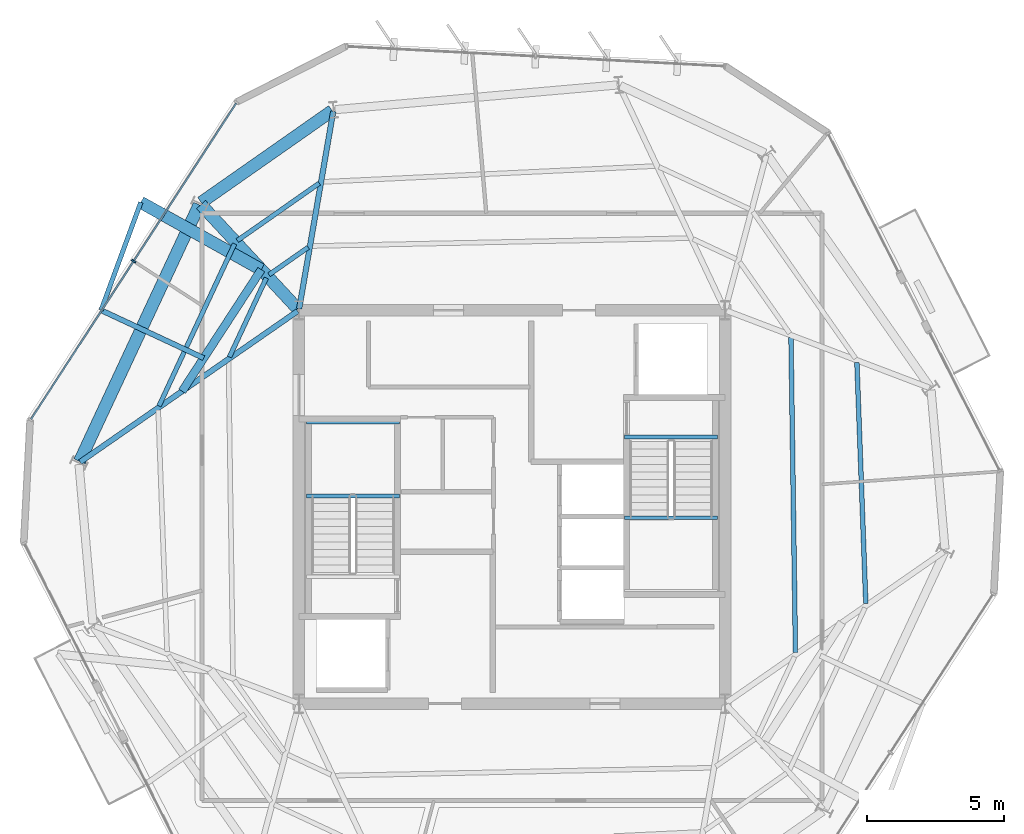
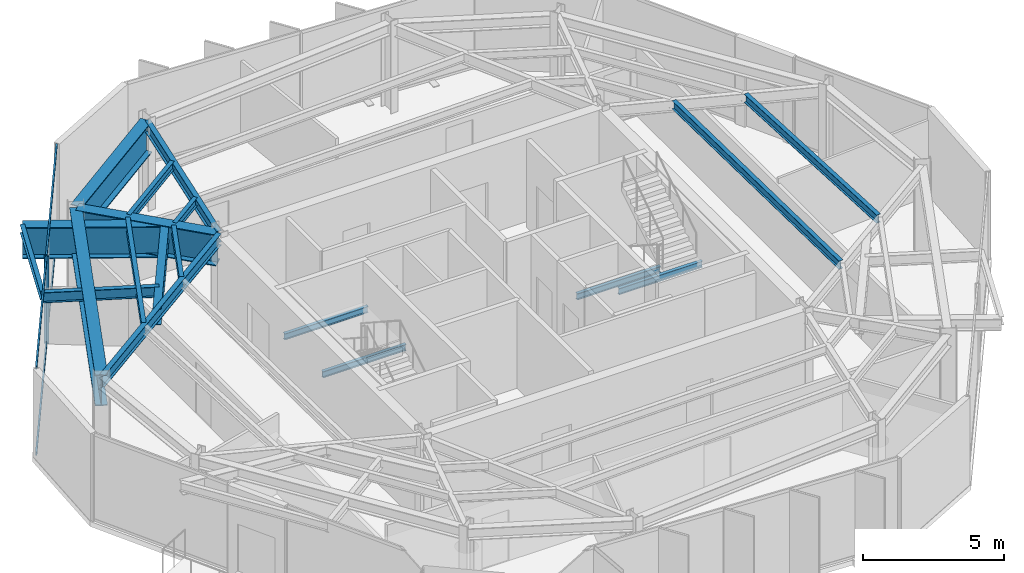
# One storey, part 4 of 11: 19 beams, 5 members, 1 element without a shape of its own.
"""IFC4 building model written with IfcOpenShell, lengths in metres."""

from ifc_helpers import new_model, si_unit, direction, frame, origin, origin_2d, place, context, subcontext, project, spatial, rectangle, i_section, extrude, material, layer, layer_set, material_profile, profile_set, type_object, element, aggregate, save


model = new_model("IFC4")

# Units and contexts
model_context = context("Model", 3, precision=1e-05, world=origin(), true_north=direction((0.0, 1.0)))
body_context = subcontext(model_context, "Body", "Model", "MODEL_VIEW")
ifc_project = project(units=[si_unit("LENGTHUNIT", "METRE"), si_unit("AREAUNIT", "SQUARE_METRE"), si_unit("VOLUMEUNIT", "CUBIC_METRE"), si_unit("PLANEANGLEUNIT", "RADIAN"), si_unit("MASSUNIT", "GRAM", prefix="KILO")], contexts=[model_context])

# Site, building, storey
site_placement = place(None, origin())
site = spatial("IfcSite", under=ifc_project, at=site_placement, CompositionType="ELEMENT")
building_placement = place(site_placement, origin())
building = spatial("IfcBuilding", under=site, at=building_placement, Name="Kranzbogen Civic Tower", CompositionType="ELEMENT")
storey_placement = place(building_placement, frame((0.0, 0.0, 254.199951171875)))
storey = spatial("IfcBuildingStorey", under=building, at=storey_placement, Name="L61", CompositionType="ELEMENT", Elevation=254.199951171875)

# Beam
ifc_material_1 = material(Name="Steel S355", Category="steel")
ifc_material_profile_1 = material_profile(ifc_material_1, i_section(OverallWidth=0.18994140625, OverallDepth=0.449951171875, WebThickness=0.009521484375, FlangeThickness=0.0146484375, at=origin_2d()), Name="IPE 450")
ifc_profile_set_1 = profile_set([ifc_material_profile_1], Name="Steel S355")
beam_type_1 = type_object("IfcBeamType", Name="Braced Terrace Edge Beam IPE 450", PredefinedType="BEAM", material=ifc_profile_set_1)
beam_1_placement = place(storey_placement, frame((13.714111328125, 30.447021484375, 3.525146484375), z_axis=(-0.906265891751, 0.422708094846, 0.0), x_axis=(-0.422708094846, -0.906265891751, 0.0)))
element("IfcBeam", 1, at=beam_1_placement, inside=storey, type_object=beam_type_1, Name="L62 back-spanned terrace beam L62-TB2-2", PredefinedType="BEAM", context=body_context, shape_type="SweptSolid", body=[
    extrude(i_section(OverallWidth=0.18994140625, OverallDepth=0.449951171875, WebThickness=0.009521484375, FlangeThickness=0.0146484375, at=origin_2d()), origin(), (0.0, 0.0, 1.0), 4.14453125),
])

# Curtain wall, members
ifc_material_2 = material(Name="Pale Anodised Aluminium", Category="aluminium")
ifc_layer = layer(ifc_material_2, 0.219970703125, Name="Pale Anodised Aluminium")
ifc_layer_set = layer_set([ifc_layer], Name="Pale Anodised Aluminium")
curtain_wall_type = type_object("IfcCurtainWallType", Name="Zone 4 Stick Curtain Wall System CW-05", PredefinedType="USERDEFINED", material=ifc_layer_set)
curtain_wall_placement = place(storey_placement, origin())
curtain_wall = element("IfcCurtainWall", 2, at=curtain_wall_placement, inside=storey, type_object=curtain_wall_type, Name="L61 curtain wall CW-L61-F2", ObjectType="STICK CURTAIN WALL", PredefinedType="USERDEFINED")
ifc_material_profile_2 = material_profile(ifc_material_2, rectangle(XDim=0.06494140625, YDim=0.179931640625, at=origin_2d()), Name="ALU-M 65x180")
ifc_profile_set_2 = profile_set([ifc_material_profile_2], Name="Pale Anodised Aluminium")
member_type_1 = type_object("IfcMemberType", Name="Curtain Wall Mullion ALU-M 65x180", PredefinedType="MULLION", material=ifc_profile_set_2)
member_1_placement = place(storey_placement, frame((11.151611328125, 33.993408203125, 0.0), z_axis=(0.0, 0.0, 1.0), x_axis=(-0.544657317977, -0.838658694568, 0.0)))
member_1 = element("IfcMember", 3, at=member_1_placement, type_object=member_type_1, Name="CW-05 mullion 2", PredefinedType="MULLION", context=body_context, shape_type="SweptSolid", body=[
    extrude(rectangle(XDim=0.06494140625, YDim=0.179931640625, at=origin_2d()), origin(), (0.0, 0.0, 1.0), 3.780029296875),
])
ifc_material_profile_3 = material_profile(ifc_material_2, rectangle(XDim=0.06494140625, YDim=0.135009765625, at=origin_2d()), Name="ALU-T 65x135")
ifc_profile_set_3 = profile_set([ifc_material_profile_3], Name="Pale Anodised Aluminium")
member_type_2 = type_object("IfcMemberType", Name="Curtain Wall Transom ALU-T 65x135", PredefinedType="USERDEFINED", material=ifc_profile_set_3)
member_2_placement = place(storey_placement, frame((14.9072265625, 39.776611328125, 0.030029296875), z_axis=(-0.544657090741, -0.838658842144, 0.0), x_axis=(0.838658842144, -0.544657090741, 0.0)))
member_2 = element("IfcMember", 4, at=member_2_placement, type_object=member_type_2, Name="CW-05 transom 1.1", ObjectType="TRANSOM", PredefinedType="USERDEFINED", context=body_context, shape_type="SweptSolid", body=[
    extrude(rectangle(XDim=0.06494140625, YDim=0.135009765625, at=origin_2d()), origin(), (0.0, 0.0, 1.0), 6.86572265625),
])
member_3_placement = place(storey_placement, frame((14.9072265625, 39.776611328125, 3.75), z_axis=(-0.544657090741, -0.838658842144, 0.0), x_axis=(0.838658842144, -0.544657090741, 0.0)))
member_3 = element("IfcMember", 5, at=member_3_placement, type_object=member_type_2, Name="CW-05 transom 1.2", ObjectType="TRANSOM", PredefinedType="USERDEFINED", context=body_context, shape_type="SweptSolid", body=[
    extrude(rectangle(XDim=0.06494140625, YDim=0.135009765625, at=origin_2d()), origin(), (0.0, 0.0, 1.0), 6.86572265625),
])
member_4_placement = place(storey_placement, frame((11.13525390625, 33.96826171875, 0.030029296875), z_axis=(-0.544657090741, -0.838658842144, 0.0), x_axis=(0.838658842144, -0.544657090741, 0.0)))
member_4 = element("IfcMember", 6, at=member_4_placement, type_object=member_type_2, Name="CW-05 transom 2.1", ObjectType="TRANSOM", PredefinedType="USERDEFINED", context=body_context, shape_type="SweptSolid", body=[
    extrude(rectangle(XDim=0.06494140625, YDim=0.135009765625, at=origin_2d()), origin(), (0.0, 0.0, 1.0), 6.86572265625),
])
member_5_placement = place(storey_placement, frame((11.13525390625, 33.96826171875, 3.75), z_axis=(-0.544657090741, -0.838658842144, 0.0), x_axis=(0.838658842144, -0.544657090741, 0.0)))
member_5 = element("IfcMember", 7, at=member_5_placement, type_object=member_type_2, Name="CW-05 transom 2.2", ObjectType="TRANSOM", PredefinedType="USERDEFINED", context=body_context, shape_type="SweptSolid", body=[
    extrude(rectangle(XDim=0.06494140625, YDim=0.135009765625, at=origin_2d()), origin(), (0.0, 0.0, 1.0), 6.86572265625),
])
aggregate(curtain_wall, [member_1, member_2, member_3, member_4, member_5])

# Beams
ifc_material_profile_4 = material_profile(ifc_material_1, i_section(OverallWidth=0.300048828125, OverallDepth=0.699951171875, WebThickness=0.01708984375, FlangeThickness=0.031982421875, at=origin_2d()), Name="HEB 700")
ifc_profile_set_4 = profile_set([ifc_material_profile_4], Name="Steel S355")
beam_type_2 = type_object("IfcBeamType", Name="Perimeter Tube Spandrel Beam HEB 700", PredefinedType="SPANDREL", material=ifc_profile_set_4)
beam_2_placement = place(storey_placement, frame((15.822021484375, 33.68603515625, 3.400146484375), z_axis=(-0.545440514923, -0.83814953599, 0.0), x_axis=(0.83814953599, -0.545440514923, 0.0)))
element("IfcBeam", 8, at=beam_2_placement, inside=storey, type_object=beam_type_2, Name="L62 balcony back-span header girder L62-TB2", PredefinedType="SPANDREL", context=body_context, shape_type="SweptSolid", body=[
    extrude(i_section(OverallWidth=0.300048828125, OverallDepth=0.699951171875, WebThickness=0.01708984375, FlangeThickness=0.031982421875, at=origin_2d()), origin(), (0.0, 0.0, 1.0), 5.31298828125),
])
ifc_material_profile_5 = material_profile(ifc_material_1, i_section(OverallWidth=0.199951171875, OverallDepth=0.5, WebThickness=0.01025390625, FlangeThickness=0.01611328125, at=origin_2d()), Name="IPE 500")
ifc_profile_set_5 = profile_set([ifc_material_profile_5], Name="Steel S355")
beam_type_3 = type_object("IfcBeamType", Name="Radial Tower Floor Girder IPE 500", PredefinedType="BEAM", material=ifc_profile_set_5)
beam_3_placement = place(storey_placement, frame((18.45703125, 39.47705078125, 3.530029296875), z_axis=(-0.170249558486, -0.985400978199, 0.0), x_axis=(0.985400978199, -0.170249558486, 0.0)))
element("IfcBeam", 9, at=beam_3_placement, inside=storey, type_object=beam_type_3, Name="L61 radial floor girder 10", PredefinedType="BEAM", context=body_context, shape_type="SweptSolid", body=[
    extrude(i_section(OverallWidth=0.199951171875, OverallDepth=0.5, WebThickness=0.01025390625, FlangeThickness=0.01611328125, at=origin_2d()), origin(), (0.0, 0.0, 1.0), 7.324951171875),
])
beam_4_placement = place(storey_placement, frame((9.194091796875, 26.64404296875, 3.530029296875), z_axis=(0.821542812331, 0.570146829779, 0.0), x_axis=(-0.570146829779, 0.821542812331, 0.0)))
element("IfcBeam", 10, at=beam_4_placement, inside=storey, type_object=beam_type_3, Name="L61 radial floor girder 12", PredefinedType="BEAM", context=body_context, shape_type="SweptSolid", body=[
    extrude(i_section(OverallWidth=0.199951171875, OverallDepth=0.5, WebThickness=0.01025390625, FlangeThickness=0.01611328125, at=origin_2d()), origin(), (0.0, 0.0, 1.0), 9.68505859375),
])
ifc_material_profile_6 = material_profile(ifc_material_1, i_section(OverallWidth=0.169921875, OverallDepth=0.360107421875, WebThickness=0.008056640625, FlangeThickness=0.0126953125, at=origin_2d()), Name="IPE 360")
ifc_profile_set_6 = profile_set([ifc_material_profile_6], Name="Steel S355")
beam_type_4 = type_object("IfcBeamType", Name="Secondary Composite Floor Joist IPE 360", PredefinedType="JOIST", material=ifc_profile_set_6)
beam_5_placement = place(storey_placement, frame((37.951904296875, 21.4580078125, 3.60009765625), z_axis=(-0.036992246074, 0.999315552631, 0.0), x_axis=(-0.999315552631, -0.036992246074, 0.0)))
element("IfcBeam", 11, at=beam_5_placement, inside=storey, type_object=beam_type_4, Name="L61 secondary floor joist 1.06", PredefinedType="JOIST", context=body_context, shape_type="SweptSolid", body=[
    extrude(i_section(OverallWidth=0.169921875, OverallDepth=0.360107421875, WebThickness=0.008056640625, FlangeThickness=0.0126953125, at=origin_2d()), origin(), (0.0, 0.0, 1.0), 8.837158203125),
])
beam_6_placement = place(storey_placement, frame((35.3759765625, 19.6689453125, 3.60009765625), z_axis=(-0.014221385906, 0.999898870978, 0.0), x_axis=(-0.999898870978, -0.014221385906, 0.0)))
element("IfcBeam", 12, at=beam_6_placement, inside=storey, type_object=beam_type_4, Name="L61 secondary floor joist 2.06", PredefinedType="JOIST", context=body_context, shape_type="SweptSolid", body=[
    extrude(i_section(OverallWidth=0.169921875, OverallDepth=0.360107421875, WebThickness=0.008056640625, FlangeThickness=0.0126953125, at=origin_2d()), origin(), (0.0, 0.0, 1.0), 11.536376953125),
])
beam_7_placement = place(storey_placement, frame((17.945068359375, 36.84912109375, 3.60009765625), z_axis=(-0.819006333711, -0.573784476385, 0.0), x_axis=(0.573784476385, -0.819006333711, 0.0)))
element("IfcBeam", 13, at=beam_7_placement, inside=storey, type_object=beam_type_4, Name="L61 secondary floor joist 1.10", PredefinedType="JOIST", context=body_context, shape_type="SweptSolid", body=[
    extrude(i_section(OverallWidth=0.169921875, OverallDepth=0.360107421875, WebThickness=0.008056640625, FlangeThickness=0.0126953125, at=origin_2d()), origin(), (0.0, 0.0, 1.0), 3.661865234375),
])
beam_8_placement = place(storey_placement, frame((17.5400390625, 34.501953125, 3.60009765625), z_axis=(-0.818956727849, -0.573855276103, 0.0), x_axis=(0.573855276103, -0.818956727849, 0.0)))
element("IfcBeam", 14, at=beam_8_placement, inside=storey, type_object=beam_type_4, Name="L61 secondary floor joist 2.10", PredefinedType="JOIST", context=body_context, shape_type="SweptSolid", body=[
    extrude(i_section(OverallWidth=0.169921875, OverallDepth=0.360107421875, WebThickness=0.008056640625, FlangeThickness=0.0126953125, at=origin_2d()), origin(), (0.0, 0.0, 1.0), 1.751220703125),
])
beam_9_placement = place(storey_placement, frame((14.845947265625, 34.6298828125, 3.60009765625), z_axis=(-0.422542528713, -0.906343098075, 0.0), x_axis=(0.906343098075, -0.422542528713, 0.0)))
element("IfcBeam", 15, at=beam_9_placement, inside=storey, type_object=beam_type_4, Name="L61 secondary floor joist 1.11", PredefinedType="JOIST", context=body_context, shape_type="SweptSolid", body=[
    extrude(i_section(OverallWidth=0.169921875, OverallDepth=0.360107421875, WebThickness=0.008056640625, FlangeThickness=0.0126953125, at=origin_2d()), origin(), (0.0, 0.0, 1.0), 6.548095703125),
])
beam_10_placement = place(storey_placement, frame((16.006103515625, 33.37890625, 3.60009765625), z_axis=(-0.422651143991, -0.906292453065, 0.0), x_axis=(0.906292453065, -0.422651143991, 0.0)))
element("IfcBeam", 16, at=beam_10_placement, inside=storey, type_object=beam_type_4, Name="L61 secondary floor joist 2.11", PredefinedType="JOIST", context=body_context, shape_type="SweptSolid", body=[
    extrude(i_section(OverallWidth=0.169921875, OverallDepth=0.360107421875, WebThickness=0.008056640625, FlangeThickness=0.0126953125, at=origin_2d()), origin(), (0.0, 0.0, 1.0), 3.1943359375),
])
beam_11_placement = place(storey_placement, frame((11.4130859375, 36.14697265625, 3.570068359375), z_axis=(-0.345820978948, -0.93830051184, 0.0), x_axis=(0.93830051184, -0.345820978948, 0.0)))
element("IfcBeam", 17, at=beam_11_placement, inside=storey, type_object=beam_type_4, Name="L62 terrace outer edge trimmer L62-TB2", PredefinedType="JOIST", context=body_context, shape_type="SweptSolid", body=[
    extrude(i_section(OverallWidth=0.169921875, OverallDepth=0.360107421875, WebThickness=0.008056640625, FlangeThickness=0.0126953125, at=origin_2d()), origin(), (0.0, 0.0, 1.0), 4.20751953125),
])
ifc_material_profile_7 = material_profile(ifc_material_1, i_section(OverallWidth=0.135009765625, OverallDepth=0.27001953125, WebThickness=0.006591796875, FlangeThickness=0.01025390625, at=origin_2d()), Name="IPE 270")
ifc_profile_set_7 = profile_set([ifc_material_profile_7], Name="Steel S355")
beam_type_5 = type_object("IfcBeamType", Name="Stair Landing Support Beam IPE 270", PredefinedType="JOIST", material=ifc_profile_set_7)
for number, where, z_axis, x_axis, name in (
    (18, (20.8798828125, 25.39990234375, 1.6650390625), (-1.0, 0.0, 0.0), (0.0, -1.0, 0.0), "L61 ST-T1 landing support beam 1.1"),
    (19, (20.8798828125, 28.10009765625, 1.6650390625), (-1.0, 0.0, 0.0), (0.0, -1.0, 0.0), "L61 ST-T1 landing support beam 1.2"),
    (20, (29.1201171875, 27.56005859375, -0.35498046875), (1.0, 0.0, 0.0), (0.0, 1.0, 0.0), "L61 ST-T2 stair floor header beam"),
    (21, (29.1201171875, 24.60009765625, 1.6650390625), (1.0, 0.0, 0.0), (0.0, 1.0, 0.0), "L61 ST-T2 landing support beam 1.1"),
):
    element("IfcBeam", number, at=place(storey_placement, frame(where, z_axis=z_axis, x_axis=x_axis)), inside=storey, type_object=beam_type_5, Name=name, PredefinedType="JOIST", context=body_context, shape_type="SweptSolid", body=[
        extrude(i_section(OverallWidth=0.135009765625, OverallDepth=0.27001953125, WebThickness=0.006591796875, FlangeThickness=0.01025390625, at=origin_2d()), origin(), (0.0, 0.0, 1.0), 3.409912109375),
    ])
ifc_material_3 = material(Name="Steel S460", Category="steel")
ifc_material_profile_8 = material_profile(ifc_material_3, i_section(OverallWidth=0.449951171875, OverallDepth=1.35009765625, WebThickness=0.02392578125, FlangeThickness=0.0380859375, at=origin_2d()), Name="WPG 1350x450x24x38")
ifc_profile_set_8 = profile_set([ifc_material_profile_8], Name="Steel S460")
beam_type_6 = type_object("IfcBeamType", Name="Welded Transfer Girder WPG 1350x450x24x38", PredefinedType="BEAM", material=ifc_profile_set_8)
beam_12_placement = place(storey_placement, frame((18.41796875, 39.501953125, 3.10498046875), z_axis=(-0.819059436004, -0.57370867197, 0.0), x_axis=(0.57370867197, -0.819059436004, 0.0)))
element("IfcBeam", 22, at=beam_12_placement, inside=storey, type_object=beam_type_6, Name="TG-1350: L61 welded transfer girder 10", PredefinedType="BEAM", context=body_context, shape_type="SweptSolid", body=[
    extrude(i_section(OverallWidth=0.449951171875, OverallDepth=1.35009765625, WebThickness=0.02392578125, FlangeThickness=0.0380859375, at=origin_2d()), origin(), (0.0, 0.0, 1.0), 5.85302734375),
])
beam_13_placement = place(storey_placement, frame((13.550048828125, 36.055908203125, 3.10498046875), z_axis=(-0.422668780888, -0.906284227857, 0.0), x_axis=(0.906284227857, -0.422668780888, 0.0)))
element("IfcBeam", 23, at=beam_13_placement, inside=storey, type_object=beam_type_6, Name="TG-1350: L61 welded transfer girder 11", PredefinedType="BEAM", context=body_context, shape_type="SweptSolid", body=[
    extrude(i_section(OverallWidth=0.449951171875, OverallDepth=1.35009765625, WebThickness=0.02392578125, FlangeThickness=0.0380859375, at=origin_2d()), origin(), (0.0, 0.0, 1.0), 10.363037109375),
])
beam_14_placement = place(storey_placement, frame((13.615966796875, 36.06591796875, 3.10498046875), z_axis=(0.679827353702, -0.733372190064, 0.0), x_axis=(0.733372190064, 0.679827353702, 0.0)))
element("IfcBeam", 24, at=beam_14_placement, inside=storey, type_object=beam_type_6, Name="TG-1350: L61 radial welded transfer girder 11", PredefinedType="BEAM", context=body_context, shape_type="SweptSolid", body=[
    extrude(i_section(OverallWidth=0.449951171875, OverallDepth=1.35009765625, WebThickness=0.02392578125, FlangeThickness=0.0380859375, at=origin_2d()), origin(), (0.0, 0.0, 1.0), 5.211669921875),
])
beam_15_placement = place(storey_placement, frame((15.822021484375, 33.68603515625, 3.074951171875), z_axis=(-0.87318621696, 0.487386736085, 0.0), x_axis=(-0.487386736085, -0.87318621696, 0.0)))
element("IfcBeam", 25, at=beam_15_placement, inside=storey, type_object=beam_type_6, Name="TG-1350: L62 back-spanned welded transfer girder L62-TB2-1", PredefinedType="BEAM", context=body_context, shape_type="SweptSolid", body=[
    extrude(i_section(OverallWidth=0.449951171875, OverallDepth=1.35009765625, WebThickness=0.02392578125, FlangeThickness=0.0380859375, at=origin_2d()), origin(), (0.0, 0.0, 1.0), 5.04931640625),
])

save(model, "model.ifc")
